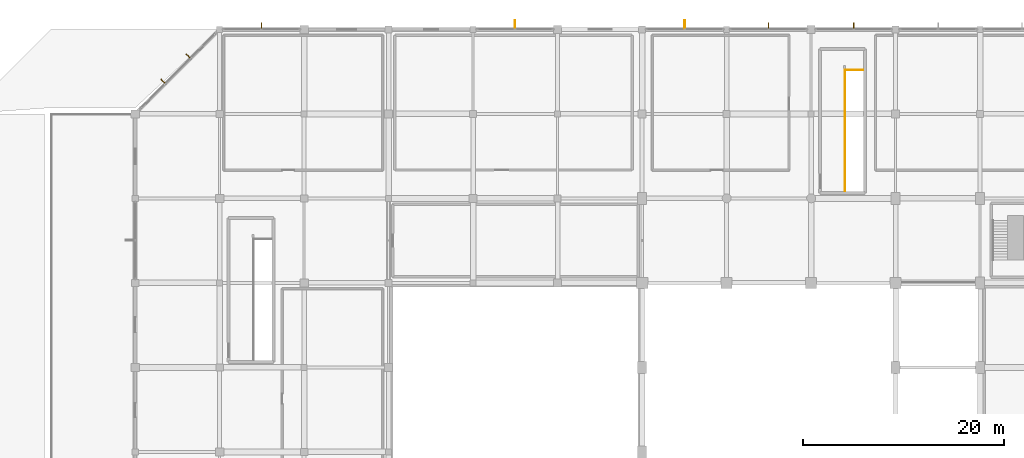
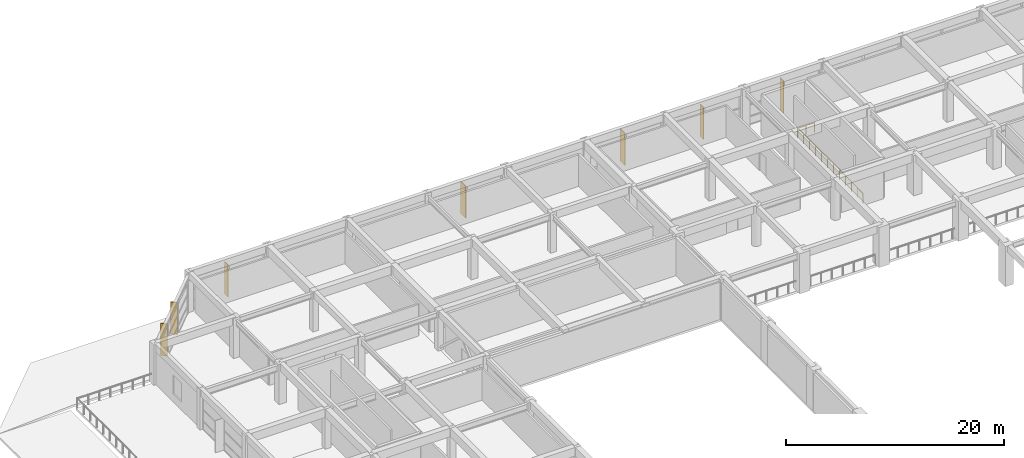
# One storey, part 53 of 56: 7 shading devices, 1 railing.
"""IFC4 building model written with IfcOpenShell, lengths in metres."""

from ifc_helpers import new_model, si_unit, direction, frame, origin, origin_2d, place, context, subcontext, project, spatial, rectangle, circle, extrude, material, type_object, element, save


model = new_model("IFC4")

# Units and contexts
model_context = context("Model", 3, precision=1e-05, world=origin(), true_north=direction((0.0, 1.0)))
body_context = subcontext(model_context, "Body", "Model", "MODEL_VIEW")
ifc_project = project(units=[si_unit("LENGTHUNIT", "METRE"), si_unit("AREAUNIT", "SQUARE_METRE"), si_unit("VOLUMEUNIT", "CUBIC_METRE"), si_unit("PLANEANGLEUNIT", "RADIAN"), si_unit("MASSUNIT", "GRAM", prefix="KILO")], contexts=[model_context])

# Site, building, storey
site_placement = place(None, origin())
site = spatial("IfcSite", under=ifc_project, at=site_placement, CompositionType="ELEMENT")
building_placement = place(site_placement, origin())
building = spatial("IfcBuilding", under=site, at=building_placement, Name="Xuanlan Plaza Opera House", CompositionType="ELEMENT")
storey_placement = place(building_placement, frame((0.0, 0.0, 18.89990234375)))
storey = spatial("IfcBuildingStorey", under=building, at=storey_placement, Name="L04", CompositionType="ELEMENT", Elevation=18.89990234375)

# Shading devices
ifc_material_1 = material(Name="Anodised Aluminium 6063-T6", Category="aluminium")
shading_device_type_1 = type_object("IfcShadingDeviceType", Name="ENV-SHD-BRS01", PredefinedType="JALOUSIE", material=ifc_material_1)
for number, where, z_axis, x_axis, name in (
    (1, (88.22509765625, 101.125, 0.0400390625), (0.0, 0.0, 1.0), (0.0, 1.0, 0.0), "Parametric Sunshade Fin L04-0233"),
    (2, (79.75, 101.125, 0.0400390625), (0.0, 0.0, 1.0), (0.0, 1.0, 0.0), "Parametric Sunshade Fin L04-0234"),
    (3, (29.35009765625, 101.125, 0.0400390625), (0.0, 0.0, 1.0), (0.0, 1.0, 0.0), "Parametric Sunshade Fin L04-0237"),
    (4, (22.070556640625, 98.130126953125, 0.0400390625), (0.0, 0.0, 1.0), (-0.707106781187, 0.707106781187, 0.0), "Parametric Sunshade Fin L04-0238"),
    (5, (19.56982421875, 95.62939453125, 0.0400390625), (0.0, 0.0, 1.0), (-0.707106781187, 0.707106781187, 0.0), "Parametric Sunshade Fin L04-0239"),
):
    element("IfcShadingDevice", number, at=place(storey_placement, frame(where, z_axis=z_axis, x_axis=x_axis)), inside=storey, type_object=shading_device_type_1, Name=name, PredefinedType="JALOUSIE", context=body_context, shape_type="SweptSolid", body=[
        extrude(rectangle(XDim=0.639892578125, YDim=0.070068359375, at=origin_2d()), origin(), (0.0, 0.0, 1.0), 3.60009765625),
    ])
shading_device_type_2 = type_object("IfcShadingDeviceType", Name="ENV-SHD-BRS02", PredefinedType="JALOUSIE", material=ifc_material_1)
for number, where, z_axis, x_axis, name in (
    (6, (71.425048828125, 101.264892578125, 0.0400390625), (0.0, 0.0, 1.0), (0.0, 1.0, 0.0), "Parametric Sunshade Fin L04-0235"),
    (7, (54.550048828125, 101.264892578125, 0.0400390625), (0.0, 0.0, 1.0), (0.0, 1.0, 0.0), "Parametric Sunshade Fin L04-0236"),
):
    element("IfcShadingDevice", number, at=place(storey_placement, frame(where, z_axis=z_axis, x_axis=x_axis)), inside=storey, type_object=shading_device_type_2, Name=name, PredefinedType="JALOUSIE", context=body_context, shape_type="SweptSolid", body=[
        extrude(rectangle(XDim=0.919921875, YDim=0.080078125, at=origin_2d()), origin(), (0.0, 0.0, 1.0), 3.60009765625),
    ])

# Railing
ifc_material_2 = material(Name="Galvanised Steel Q235B", Category="steel")
railing_type = type_object("IfcRailingType", Name="INT-RL-GR04", PredefinedType="GUARDRAIL", material=ifc_material_2)
railing_placement = place(storey_placement, frame((89.169921875, 96.77490234375, 0.0)))
element("IfcRailing", 8, at=railing_placement, inside=storey, type_object=railing_type, Name="Top Stairwell Guardrail ST-P4 L04", PredefinedType="GUARDRAIL", context=body_context, shape_type="SweptSolid", body=[
    extrude(circle(Radius=0.02392578125, at=origin_2d()), frame((0.0, 0.0, 1.076171875), z_axis=(-1.0, 0.0, 0.0), x_axis=(0.0, -1.0, 0.0)), (0.0, 0.0, 1.0), 1.7998046875),
    extrude(circle(Radius=0.02392578125, at=origin_2d()), frame((-1.7998046875, 0.0, 1.076171875), z_axis=(0.0, -1.0, 0.0), x_axis=(1.0, 0.0, 0.0)), (0.0, 0.0, 1.0), 12.034912109375),
    extrude(circle(Radius=0.02099609375, at=origin_2d()), origin(), (0.0, 0.0, 1.0), 1.052001953125),
    extrude(circle(Radius=0.02099609375, at=origin_2d()), frame((-0.89990234375, 0.0, 0.0)), (0.0, 0.0, 1.0), 1.052001953125),
    extrude(circle(Radius=0.02099609375, at=origin_2d()), frame((-1.7998046875, 0.0, 0.0)), (0.0, 0.0, 1.0), 1.052001953125),
    extrude(circle(Radius=0.02099609375, at=origin_2d()), frame((-1.7998046875, -1.093994140625, 0.0)), (0.0, 0.0, 1.0), 1.052001953125),
    extrude(circle(Radius=0.02099609375, at=origin_2d()), frame((-1.7998046875, -2.188232421875, 0.0)), (0.0, 0.0, 1.0), 1.052001953125),
    extrude(circle(Radius=0.02099609375, at=origin_2d()), frame((-1.7998046875, -3.2822265625, 0.0)), (0.0, 0.0, 1.0), 1.052001953125),
    extrude(circle(Radius=0.02099609375, at=origin_2d()), frame((-1.7998046875, -4.376220703125, 0.0)), (0.0, 0.0, 1.0), 1.052001953125),
    extrude(circle(Radius=0.02099609375, at=origin_2d()), frame((-1.7998046875, -5.470458984375, 0.0)), (0.0, 0.0, 1.0), 1.052001953125),
    extrude(circle(Radius=0.02099609375, at=origin_2d()), frame((-1.7998046875, -6.564453125, 0.0)), (0.0, 0.0, 1.0), 1.052001953125),
    extrude(circle(Radius=0.02099609375, at=origin_2d()), frame((-1.7998046875, -7.65869140625, 0.0)), (0.0, 0.0, 1.0), 1.052001953125),
    extrude(circle(Radius=0.02099609375, at=origin_2d()), frame((-1.7998046875, -8.752685546875, 0.0)), (0.0, 0.0, 1.0), 1.052001953125),
    extrude(circle(Radius=0.02099609375, at=origin_2d()), frame((-1.7998046875, -9.8466796875, 0.0)), (0.0, 0.0, 1.0), 1.052001953125),
    extrude(circle(Radius=0.02099609375, at=origin_2d()), frame((-1.7998046875, -10.94091796875, 0.0)), (0.0, 0.0, 1.0), 1.052001953125),
    extrude(circle(Radius=0.02099609375, at=origin_2d()), frame((-1.7998046875, -12.034912109375, 0.0)), (0.0, 0.0, 1.0), 1.052001953125),
])

save(model, "model.ifc")
